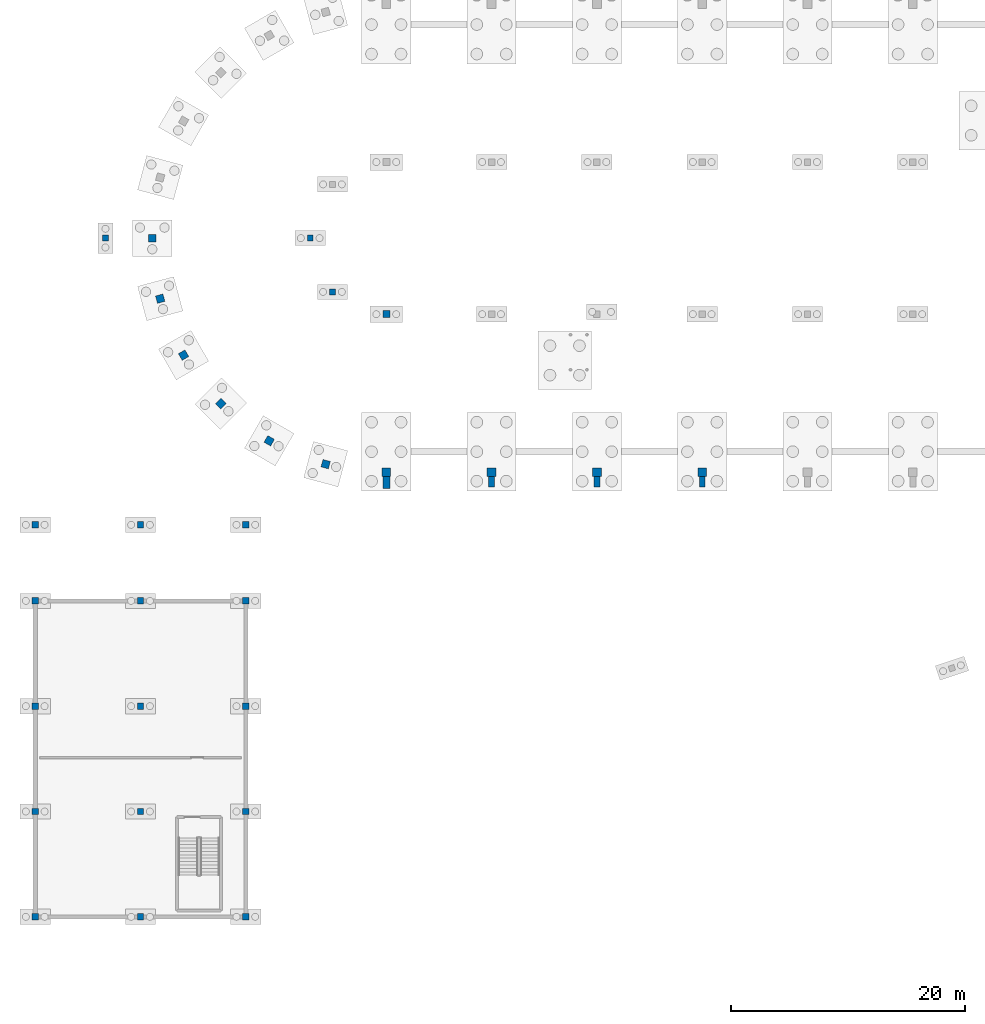
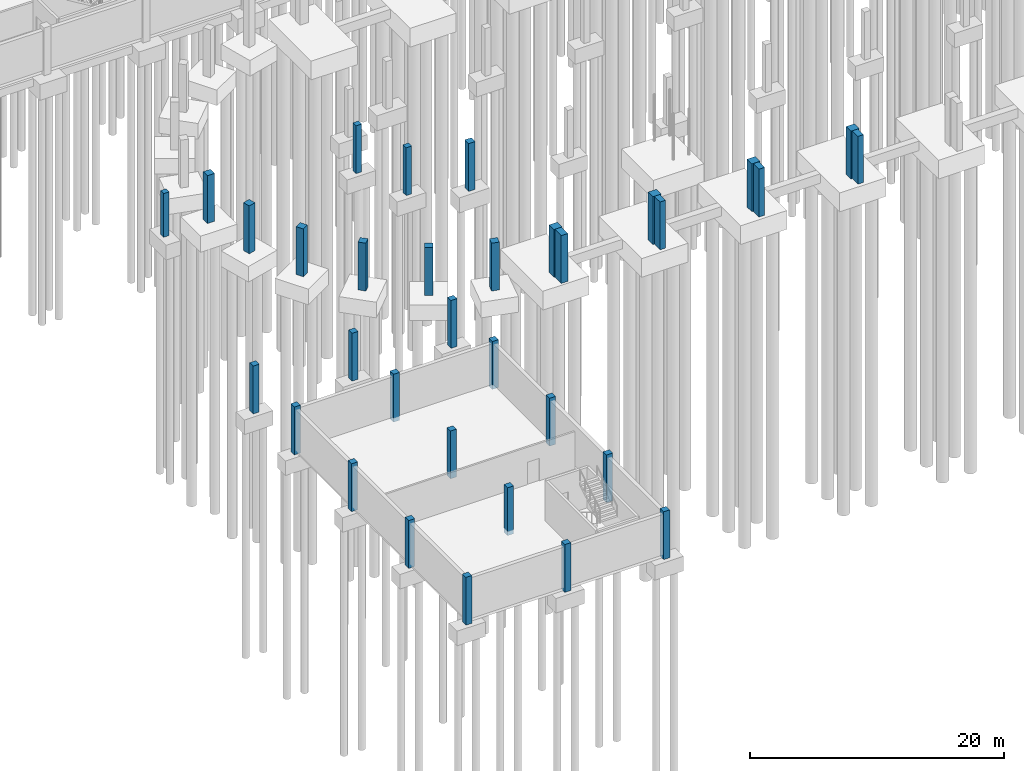
# One storey, part 8 of 36: 33 columns.
"""IFC4 building model written with IfcOpenShell, lengths in metres."""

from ifc_helpers import new_model, si_unit, derived_unit, direction, frame, origin, origin_2d, place, context, subcontext, project, spatial, rectangle, extrude, material, material_profile, profile_set, type_object, element, save


model = new_model("IFC4")

# Units and contexts
model_context = context("Model", 3, precision=1e-05, world=origin(), true_north=direction((0.0, 1.0)))
body_context = subcontext(model_context, "Body", "Model", "MODEL_VIEW")
ifc_project = project(units=[si_unit("LENGTHUNIT", "METRE"), si_unit("AREAUNIT", "SQUARE_METRE"), si_unit("VOLUMEUNIT", "CUBIC_METRE"), si_unit("PLANEANGLEUNIT", "RADIAN"), si_unit("MASSUNIT", "GRAM", prefix="KILO"), si_unit("THERMODYNAMICTEMPERATUREUNIT", "KELVIN"), si_unit("TIMEUNIT", "SECOND"), derived_unit("THERMALTRANSMITTANCEUNIT", [(si_unit("MASSUNIT", "GRAM", prefix="KILO"), 1), (si_unit("THERMODYNAMICTEMPERATUREUNIT", "KELVIN"), -1), (si_unit("TIMEUNIT", "SECOND"), -3)])], contexts=[model_context])

# Site, building, storey
site_placement = place(None, origin())
site = spatial("IfcSite", under=ifc_project, at=site_placement, CompositionType="ELEMENT")
building_placement = place(site_placement, origin())
building = spatial("IfcBuilding", under=site, at=building_placement, Name="Cambertide Market Hall", CompositionType="ELEMENT")
storey_placement = place(building_placement, frame((0.0, 0.0, -4.199951171875)))
storey = spatial("IfcBuildingStorey", under=building, at=storey_placement, Name="B1", CompositionType="ELEMENT", Elevation=-4.199951171875)

# Columns
ifc_material_1 = material(Name="Concrete B35", Category="concrete")
ifc_material_profile_1 = material_profile(ifc_material_1, rectangle(XDim=0.5, YDim=0.89990234375, at=origin_2d()), Name="RC 500x900")
ifc_profile_set_1 = profile_set([ifc_material_profile_1], Name="Concrete B35")
column_type_1 = type_object("IfcColumnType", Name="Concrete Buttress Pilaster RC 500x900", PredefinedType="PILASTER", material=ifc_profile_set_1)
for number, where, z_axis, x_axis, name in (
    (1, (51.0, 51.169921875, -0.400146484375), (0.0, 0.0, 1.0), (1.0, 0.0, 0.0), "Basement 1 Pilaster PIL-V1-S2"),
    (2, (60.0, 51.169921875, -0.400146484375), (0.0, 0.0, 1.0), (1.0, 0.0, 0.0), "Basement 1 Pilaster PIL-V1-S3"),
    (3, (69.0, 51.169921875, -0.400146484375), (0.0, 0.0, 1.0), (1.0, 0.0, 0.0), "Basement 1 Pilaster PIL-V1-S4"),
):
    element("IfcColumn", number, at=place(storey_placement, frame(where, z_axis=z_axis, x_axis=x_axis)), inside=storey, type_object=column_type_1, Name=name, PredefinedType="PILASTER", context=body_context, shape_type="SweptSolid", body=[
        extrude(rectangle(XDim=0.5, YDim=0.89990234375, at=origin_2d()), origin(), (0.0, 0.0, 1.0), 4.60009765625),
    ])
ifc_material_2 = material(Name="Concrete B35", Category="concrete")
ifc_material_profile_2 = material_profile(ifc_material_2, rectangle(XDim=0.60009765625, YDim=1.0, at=origin_2d()), Name="RC 600x1000")
ifc_profile_set_2 = profile_set([ifc_material_profile_2], Name="Concrete B35")
column_type_2 = type_object("IfcColumnType", Name="Concrete Buttress Pilaster RC 600x1000", PredefinedType="PILASTER", material=ifc_profile_set_2)
column_1_placement = place(storey_placement, frame((42.0, 51.1201171875, -0.400146484375), z_axis=(0.0, 0.0, 1.0), x_axis=(1.0, 0.0, 0.0)))
element("IfcColumn", 4, at=column_1_placement, inside=storey, type_object=column_type_2, Name="Basement 1 Pilaster PIL-V1-S1", PredefinedType="PILASTER", context=body_context, shape_type="SweptSolid", body=[
    extrude(rectangle(XDim=0.60009765625, YDim=1.0, at=origin_2d()), origin(), (0.0, 0.0, 1.0), 4.60009765625),
])
ifc_material_3 = material(Name="Concrete B30", Category="concrete")
ifc_material_profile_3 = material_profile(ifc_material_3, rectangle(XDim=0.5, YDim=0.5, at=origin_2d()), Name="RC 500x500")
ifc_profile_set_3 = profile_set([ifc_material_profile_3], Name="Concrete B30")
column_type_3 = type_object("IfcColumnType", Name="Concrete Column RC 500x500", PredefinedType="COLUMN", material=ifc_profile_set_3)
for number, where, z_axis, x_axis, name in (
    (5, (35.5, 72.0, -0.400146484375), (0.0, 0.0, 1.0), (1.0, 0.0, 0.0), "Basement 1 Column COL-V1-MW12-B1"),
    (6, (37.40380859375, 67.40380859375, -0.400146484375), (0.0, 0.0, 1.0), (1.0, 0.0, 0.0), "Basement 1 Column COL-V1-MW18-B1"),
):
    element("IfcColumn", number, at=place(storey_placement, frame(where, z_axis=z_axis, x_axis=x_axis)), inside=storey, type_object=column_type_3, Name=name, PredefinedType="COLUMN", context=body_context, shape_type="SweptSolid", body=[
        extrude(rectangle(XDim=0.5, YDim=0.5, at=origin_2d()), origin(), (0.0, 0.0, 1.0), 4.60009765625),
    ])
column_2_placement = place(storey_placement, frame((18.0, 72.0, -0.400146484375), z_axis=(0.0, 0.0, 1.0), x_axis=(0.0, 1.0, 0.0)))
element("IfcColumn", 7, at=column_2_placement, inside=storey, type_object=column_type_3, Name="Basement 1 Column COL-PR01-SUP-B1", PredefinedType="COLUMN", context=body_context, shape_type="SweptSolid", body=[
    extrude(rectangle(XDim=0.5, YDim=0.5, at=origin_2d()), origin(), (0.0, 0.0, 1.0), 4.205078125),
])
ifc_material_4 = material(Name="Concrete B30", Category="concrete")
ifc_material_profile_4 = material_profile(ifc_material_4, rectangle(XDim=0.550048828125, YDim=0.550048828125, at=origin_2d()), Name="RC 550x550")
ifc_profile_set_4 = profile_set([ifc_material_profile_4], Name="Concrete B30")
column_type_4 = type_object("IfcColumnType", Name="Concrete Column RC 550x550", PredefinedType="COLUMN", material=ifc_profile_set_4)
for number, where, z_axis, x_axis, name in (
    (8, (12.0, 14.0, -0.400146484375), (0.0, 0.0, 1.0), (1.0, 0.0, 0.0), "Basement 1 Column COL-V2SW-1-1-B1"),
    (9, (12.0, 23.0, -0.400146484375), (0.0, 0.0, 1.0), (1.0, 0.0, 0.0), "Basement 1 Column COL-V2SW-1-2-B1"),
    (10, (12.0, 32.0, -0.400146484375), (0.0, 0.0, 1.0), (1.0, 0.0, 0.0), "Basement 1 Column COL-V2SW-1-3-B1"),
    (11, (12.0, 41.0, -0.400146484375), (0.0, 0.0, 1.0), (1.0, 0.0, 0.0), "Basement 1 Column COL-V2SW-1-4-B1"),
    (12, (21.0, 14.0, -0.400146484375), (0.0, 0.0, 1.0), (1.0, 0.0, 0.0), "Basement 1 Column COL-V2SW-2-1-B1"),
    (13, (21.0, 23.0, -0.400146484375), (0.0, 0.0, 1.0), (1.0, 0.0, 0.0), "Basement 1 Column COL-V2SW-2-2-B1"),
    (14, (21.0, 32.0, -0.400146484375), (0.0, 0.0, 1.0), (1.0, 0.0, 0.0), "Basement 1 Column COL-V2SW-2-3-B1"),
    (15, (21.0, 41.0, -0.400146484375), (0.0, 0.0, 1.0), (1.0, 0.0, 0.0), "Basement 1 Column COL-V2SW-2-4-B1"),
    (16, (30.0, 14.0, -0.400146484375), (0.0, 0.0, 1.0), (1.0, 0.0, 0.0), "Basement 1 Column COL-V2SW-3-1-B1"),
    (17, (30.0, 23.0, -0.400146484375), (0.0, 0.0, 1.0), (1.0, 0.0, 0.0), "Basement 1 Column COL-V2SW-3-2-B1"),
    (18, (30.0, 32.0, -0.400146484375), (0.0, 0.0, 1.0), (1.0, 0.0, 0.0), "Basement 1 Column COL-V2SW-3-3-B1"),
    (19, (30.0, 41.0, -0.400146484375), (0.0, 0.0, 1.0), (1.0, 0.0, 0.0), "Basement 1 Column COL-V2SW-3-4-B1"),
    (20, (12.0, 47.5, -0.400146484375), (0.0, 0.0, 1.0), (1.0, 0.0, 0.0), "Basement 1 Column COL-V2SW-LNK1-B1"),
    (21, (21.0, 47.5, -0.400146484375), (0.0, 0.0, 1.0), (1.0, 0.0, 0.0), "Basement 1 Column COL-V2SW-LNK2-B1"),
    (22, (30.0, 47.5, -0.400146484375), (0.0, 0.0, 1.0), (1.0, 0.0, 0.0), "Basement 1 Column COL-V2SW-LNK3-B1"),
):
    element("IfcColumn", number, at=place(storey_placement, frame(where, z_axis=z_axis, x_axis=x_axis)), inside=storey, type_object=column_type_4, Name=name, PredefinedType="COLUMN", context=body_context, shape_type="SweptSolid", body=[
        extrude(rectangle(XDim=0.550048828125, YDim=0.550048828125, at=origin_2d()), origin(), (0.0, 0.0, 1.0), 4.60009765625),
    ])
ifc_material_5 = material(Name="Concrete B35", Category="concrete")
ifc_material_profile_5 = material_profile(ifc_material_5, rectangle(XDim=0.60009765625, YDim=0.60009765625, at=origin_2d()), Name="RC 600x600")
ifc_profile_set_5 = profile_set([ifc_material_profile_5], Name="Concrete B35")
column_type_5 = type_object("IfcColumnType", Name="Concrete Column RC 600x600", PredefinedType="COLUMN", material=ifc_profile_set_5)
column_3_placement = place(storey_placement, frame((42.0, 65.5, -0.400146484375), z_axis=(0.0, 0.0, 1.0), x_axis=(1.0, 0.0, 0.0)))
element("IfcColumn", 23, at=column_3_placement, inside=storey, type_object=column_type_5, Name="Basement 1 Column COL-V1-MS1-B1", PredefinedType="COLUMN", context=body_context, shape_type="SweptSolid", body=[
    extrude(rectangle(XDim=0.60009765625, YDim=0.60009765625, at=origin_2d()), origin(), (0.0, 0.0, 1.0), 4.60009765625),
])
ifc_material_6 = material(Name="Concrete B35", Category="concrete")
ifc_material_profile_6 = material_profile(ifc_material_6, rectangle(XDim=0.64990234375, YDim=0.64990234375, at=origin_2d()), Name="RC 650x650")
ifc_profile_set_6 = profile_set([ifc_material_profile_6], Name="Concrete B35")
column_type_6 = type_object("IfcColumnType", Name="Concrete Column RC 650x650", PredefinedType="COLUMN", material=ifc_profile_set_6)
for number, where, z_axis, x_axis, name in (
    (24, (22.0, 72.0, -0.400146484375), (0.0, 0.0, 1.0), (-1.0, 0.0, 0.0), "Basement 1 Column COL-V1-AW12-B1"),
    (25, (22.681396484375, 66.82373046875, -0.400146484375), (0.0, 0.0, 1.0), (-0.965925826289, -0.258819045103, 0.0), "Basement 1 Column COL-V1-AW14-B1"),
    (26, (24.679443359375, 62.0, -0.400146484375), (0.0, 0.0, 1.0), (-0.866025403784, -0.5, 0.0), "Basement 1 Column COL-V1-AW16-B1"),
    (27, (27.85791015625, 57.85791015625, -0.400146484375), (0.0, 0.0, 1.0), (-0.707106781187, -0.707106781187, 0.0), "Basement 1 Column COL-V1-AW18-B1"),
    (28, (32.0, 54.679443359375, -0.400146484375), (0.0, 0.0, 1.0), (-0.5, -0.866025403784, 0.0), "Basement 1 Column COL-V1-AW20-B1"),
    (29, (36.82373046875, 52.681396484375, -0.400146484375), (0.0, 0.0, 1.0), (-0.258819045103, -0.965925826289, 0.0), "Basement 1 Column COL-V1-AW22-B1"),
):
    element("IfcColumn", number, at=place(storey_placement, frame(where, z_axis=z_axis, x_axis=x_axis)), inside=storey, type_object=column_type_6, Name=name, PredefinedType="COLUMN", context=body_context, shape_type="SweptSolid", body=[
        extrude(rectangle(XDim=0.64990234375, YDim=0.64990234375, at=origin_2d()), origin(), (0.0, 0.0, 1.0), 4.60009765625),
    ])
ifc_material_7 = material(Name="Concrete B35", Category="concrete")
ifc_material_profile_7 = material_profile(ifc_material_7, rectangle(XDim=0.75, YDim=0.75, at=origin_2d()), Name="RC 750x750")
ifc_profile_set_7 = profile_set([ifc_material_profile_7], Name="Concrete B35")
column_type_7 = type_object("IfcColumnType", Name="Concrete Column RC 750x750", PredefinedType="COLUMN", material=ifc_profile_set_7)
for number, where, z_axis, x_axis, name in (
    (30, (42.0, 52.0, -0.400146484375), (0.0, 0.0, 1.0), (0.0, 1.0, 0.0), "Basement 1 Column COL-V1-S1-B1"),
    (31, (51.0, 52.0, -0.400146484375), (0.0, 0.0, 1.0), (0.0, 1.0, 0.0), "Basement 1 Column COL-V1-S2-B1"),
    (32, (60.0, 52.0, -0.400146484375), (0.0, 0.0, 1.0), (0.0, 1.0, 0.0), "Basement 1 Column COL-V1-S3-B1"),
    (33, (69.0, 52.0, -0.400146484375), (0.0, 0.0, 1.0), (0.0, 1.0, 0.0), "Basement 1 Column COL-V1-S4-B1"),
):
    element("IfcColumn", number, at=place(storey_placement, frame(where, z_axis=z_axis, x_axis=x_axis)), inside=storey, type_object=column_type_7, Name=name, PredefinedType="COLUMN", context=body_context, shape_type="SweptSolid", body=[
        extrude(rectangle(XDim=0.75, YDim=0.75, at=origin_2d()), origin(), (0.0, 0.0, 1.0), 4.60009765625),
    ])

save(model, "model.ifc")
